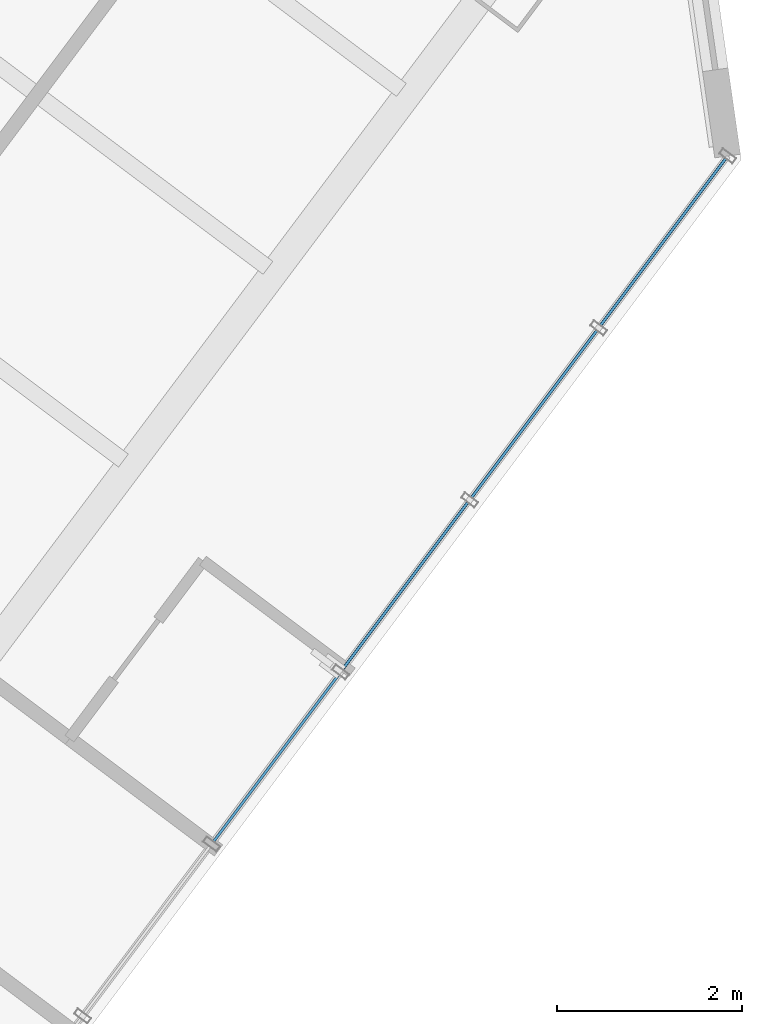
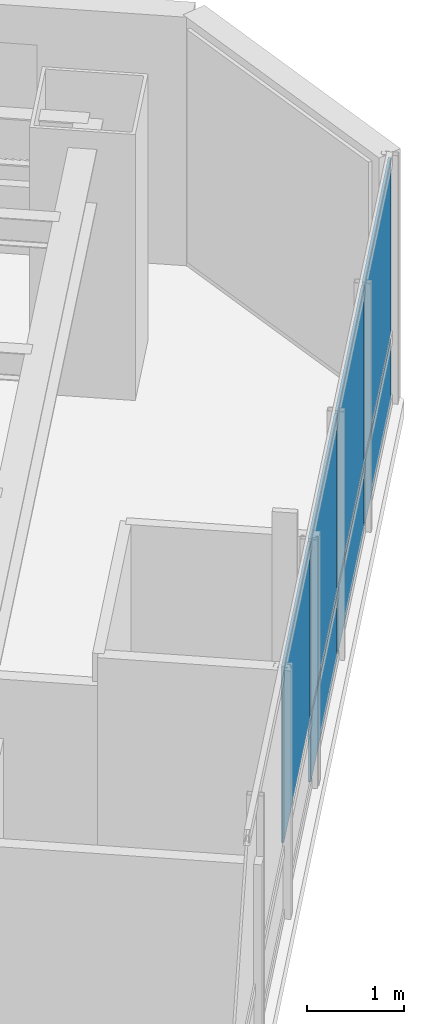
# One storey, part 21 of 37: 7 plates, 1 element without a shape of its own.
"""IFC4 building model written with IfcOpenShell, lengths in metres."""

from ifc_helpers import new_model, si_unit, direction, frame, origin, origin_2d, place, context, subcontext, project, spatial, rectangle, extrude, material, layer, layer_set, type_object, element, aggregate, save


model = new_model("IFC4")

# Units and contexts
model_context = context("Model", 3, precision=1e-05, world=origin(), true_north=direction((0.0, 1.0)))
body_context = subcontext(model_context, "Body", "Model", "MODEL_VIEW")
ifc_project = project(units=[si_unit("LENGTHUNIT", "METRE"), si_unit("AREAUNIT", "SQUARE_METRE"), si_unit("VOLUMEUNIT", "CUBIC_METRE"), si_unit("PLANEANGLEUNIT", "RADIAN"), si_unit("MASSUNIT", "GRAM", prefix="KILO")], contexts=[model_context])

# Site, building, storey
site_placement = place(None, origin())
site = spatial("IfcSite", under=ifc_project, at=site_placement, CompositionType="ELEMENT")
building_placement = place(site_placement, origin())
building = spatial("IfcBuilding", under=site, at=building_placement, Name="Hatsunagi Terrace Concourse", CompositionType="ELEMENT")
storey_placement = place(building_placement, frame((0.0, 0.0, 39.949951171875)))
storey = spatial("IfcBuildingStorey", under=building, at=storey_placement, Name="L09", CompositionType="ELEMENT", Elevation=39.949951171875)

# Curtain wall, plates
ifc_material_1 = material(Name="Anodised Aluminium Alloy 6063-T5", Category="aluminium")
ifc_layer_1 = layer(ifc_material_1, 0.199951171875)
ifc_layer_set_1 = layer_set([ifc_layer_1], Name="HotelFacade_CW02")
curtain_wall_type = type_object("IfcCurtainWallType", Name="HotelFacade_CW02", PredefinedType="NOTDEFINED", material=ifc_layer_set_1)
curtain_wall_placement = place(storey_placement, origin())
curtain_wall = element("IfcCurtainWall", 1, at=curtain_wall_placement, inside=storey, type_object=curtain_wall_type, Name="Unitised Curtain Wall CW-02 CW-L09-03", PredefinedType="NOTDEFINED")
ifc_material_2 = material(Name="Warm Terracotta Ceramic Spandrel Panel", Category="masonry")
ifc_layer_2 = layer(ifc_material_2, 0.031982421875)
ifc_layer_set_2 = layer_set([ifc_layer_2], Name="CurtainWallSpandrelPanel_32")
plate_type_1 = type_object("IfcPlateType", Name="CurtainWallSpandrelPanel_32", PredefinedType="SHEET", material=ifc_layer_set_2)
plate_1_placement = place(storey_placement, frame((68.39697265625, 18.72998046875, 0.030029296875), z_axis=(0.0, 0.0, 1.0), x_axis=(-0.599969314634, -0.800023013105, 0.0)))
plate_1 = element("IfcPlate", 2, at=plate_1_placement, type_object=plate_type_1, Name="Terracotta Spandrel Panel SPN-01", PredefinedType="SHEET", context=body_context, shape_type="SweptSolid", body=[
    extrude(rectangle(XDim=2.264892578125, YDim=0.031982421875, at=origin_2d()), origin(), (0.0, 0.0, 1.0), 0.7900390625),
])
plate_2_placement = place(storey_placement, frame((67.0048828125, 16.873046875, 0.030029296875), z_axis=(0.0, 0.0, 1.0), x_axis=(-0.599969314634, -0.800023013105, 0.0)))
plate_2 = element("IfcPlate", 3, at=plate_2_placement, type_object=plate_type_1, Name="Terracotta Spandrel Panel SPN-01", PredefinedType="SHEET", context=body_context, shape_type="SweptSolid", body=[
    extrude(rectangle(XDim=2.264892578125, YDim=0.031982421875, at=origin_2d()), origin(), (0.0, 0.0, 1.0), 0.7900390625),
])
plate_3_placement = place(storey_placement, frame((65.612060546875, 15.01708984375, 0.030029296875), z_axis=(0.0, 0.0, 1.0), x_axis=(-0.599969314634, -0.800023013105, 0.0)))
plate_3 = element("IfcPlate", 4, at=plate_3_placement, type_object=plate_type_1, Name="Terracotta Spandrel Panel SPN-01", PredefinedType="SHEET", context=body_context, shape_type="SweptSolid", body=[
    extrude(rectangle(XDim=2.264892578125, YDim=0.031982421875, at=origin_2d()), origin(), (0.0, 0.0, 1.0), 0.7900390625),
])
ifc_material_3 = material(Name="Low-E Double Insulating Glass 28mm", Category="glass")
ifc_layer_3 = layer(ifc_material_3, 0.028076171875)
ifc_layer_set_3 = layer_set([ifc_layer_3], Name="CurtainWallVisionGlass_28")
plate_type_2 = type_object("IfcPlateType", Name="CurtainWallVisionGlass_28", PredefinedType="CURTAIN_PANEL", material=ifc_layer_set_3)
plate_4_placement = place(storey_placement, frame((68.39697265625, 18.72998046875, 0.8798828125), z_axis=(0.0, 0.0, 1.0), x_axis=(-0.599969314634, -0.800023013105, 0.0)))
plate_4 = element("IfcPlate", 5, at=plate_4_placement, type_object=plate_type_2, Name="Low-E Vision Glass Panel GLZ-01", PredefinedType="CURTAIN_PANEL", context=body_context, shape_type="SweptSolid", body=[
    extrude(rectangle(XDim=2.264892578125, YDim=0.028076171875, at=origin_2d()), origin(), (0.0, 0.0, 1.0), 2.219970703125),
])
plate_5_placement = place(storey_placement, frame((67.0048828125, 16.873046875, 0.8798828125), z_axis=(0.0, 0.0, 1.0), x_axis=(-0.599969314634, -0.800023013105, 0.0)))
plate_5 = element("IfcPlate", 6, at=plate_5_placement, type_object=plate_type_2, Name="Low-E Vision Glass Panel GLZ-01", PredefinedType="CURTAIN_PANEL", context=body_context, shape_type="SweptSolid", body=[
    extrude(rectangle(XDim=2.264892578125, YDim=0.028076171875, at=origin_2d()), origin(), (0.0, 0.0, 1.0), 2.219970703125),
])
plate_6_placement = place(storey_placement, frame((65.612060546875, 15.01708984375, 0.8798828125), z_axis=(0.0, 0.0, 1.0), x_axis=(-0.599969314634, -0.800023013105, 0.0)))
plate_6 = element("IfcPlate", 7, at=plate_6_placement, type_object=plate_type_2, Name="Low-E Vision Glass Panel GLZ-01", PredefinedType="CURTAIN_PANEL", context=body_context, shape_type="SweptSolid", body=[
    extrude(rectangle(XDim=2.264892578125, YDim=0.028076171875, at=origin_2d()), origin(), (0.0, 0.0, 1.0), 2.219970703125),
])
plate_7_placement = place(storey_placement, frame((64.219970703125, 13.159912109375, 0.8798828125), z_axis=(0.0, 0.0, 1.0), x_axis=(-0.599969314634, -0.800023013105, 0.0)))
plate_7 = element("IfcPlate", 8, at=plate_7_placement, type_object=plate_type_2, Name="Low-E Vision Glass Panel GLZ-01", PredefinedType="CURTAIN_PANEL", context=body_context, shape_type="SweptSolid", body=[
    extrude(rectangle(XDim=2.264892578125, YDim=0.028076171875, at=origin_2d()), origin(), (0.0, 0.0, 1.0), 2.219970703125),
])
aggregate(curtain_wall, [plate_1, plate_4, plate_2, plate_5, plate_3, plate_6, plate_7])

save(model, "model.ifc")
